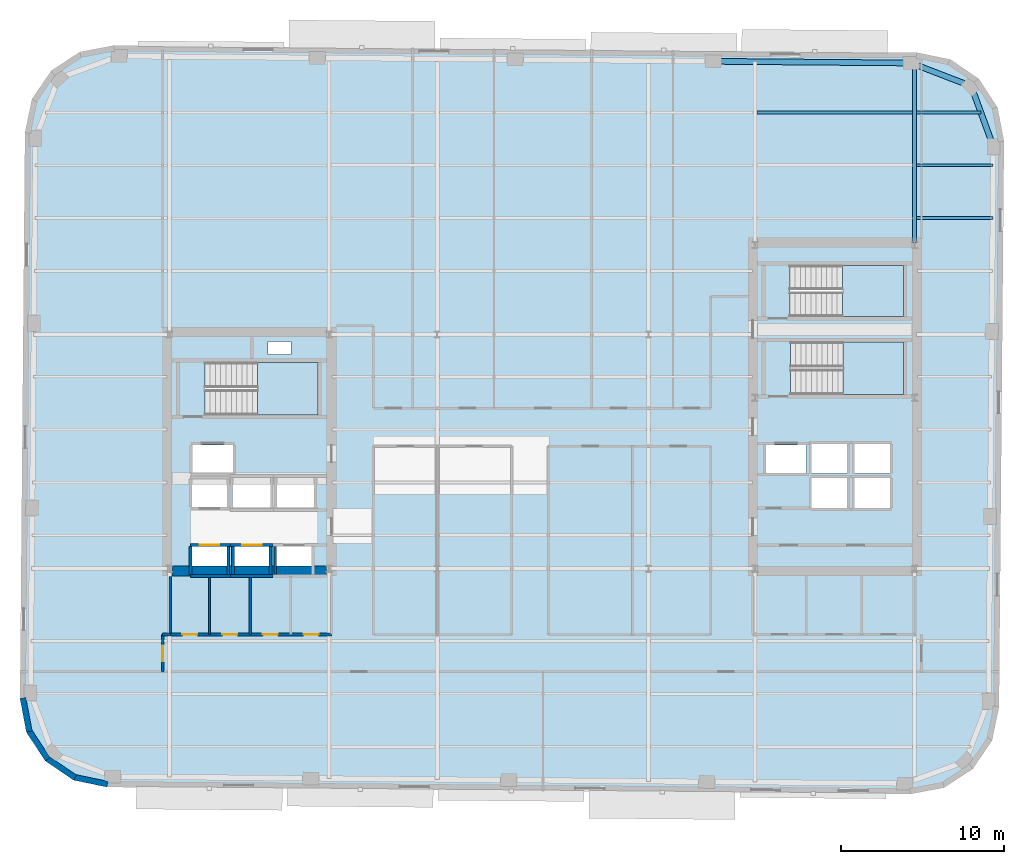
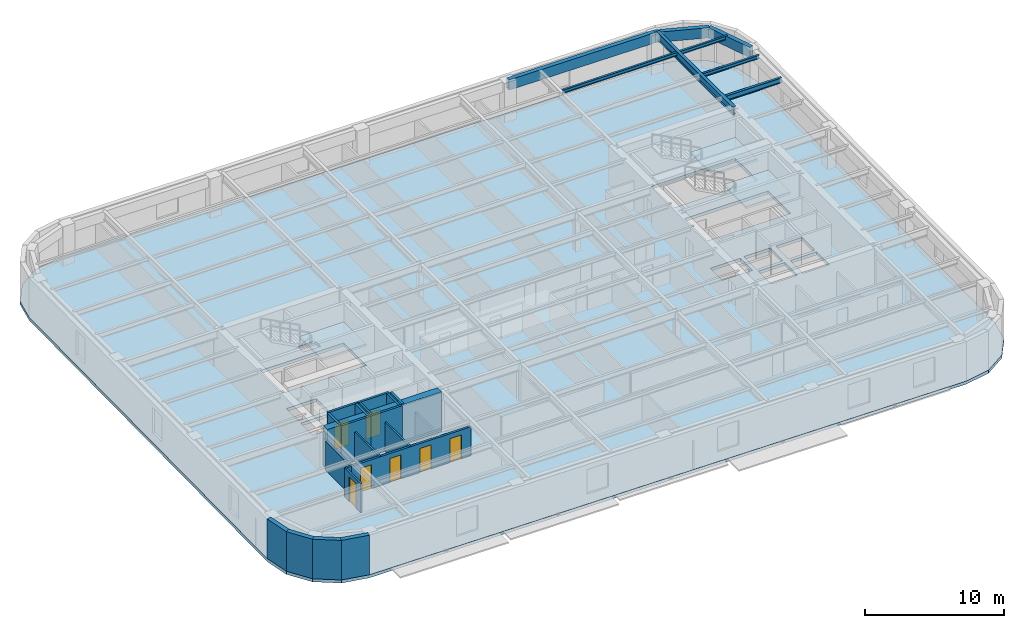
# One storey, part 3 of 11: 20 walls, 8 beams, 7 doors, 4 slabs, 7 openings, 3 elements without a shape of their own.
"""IFC4 building model written with IfcOpenShell, lengths in metres."""

from ifc_helpers import new_model, si_unit, direction, frame, frame_2d, origin, origin_2d, place, context, subcontext, project, spatial, polyline, rectangle, hollow_rectangle, i_section, outline, extrude, material, layer, layer_set, material_profile, profile_set, type_object, element, fill, aggregate, save


model = new_model("IFC4")

# Units and contexts
model_context = context("Model", 3, precision=1e-05, world=origin(), true_north=direction((0.0, 1.0)))
body_context = subcontext(model_context, "Body", "Model", "MODEL_VIEW")
ifc_project = project(units=[si_unit("LENGTHUNIT", "METRE"), si_unit("AREAUNIT", "SQUARE_METRE"), si_unit("VOLUMEUNIT", "CUBIC_METRE"), si_unit("PLANEANGLEUNIT", "RADIAN"), si_unit("MASSUNIT", "GRAM", prefix="KILO")], contexts=[model_context])

# Site, building, storey
site_placement = place(None, origin())
site = spatial("IfcSite", under=ifc_project, at=site_placement, CompositionType="ELEMENT")
building_placement = place(site_placement, origin())
building = spatial("IfcBuilding", under=site, at=building_placement, Name="Kolvaren Arena Tower", CompositionType="ELEMENT")
storey_placement = place(building_placement, frame((0.0, 0.0, 180.949951171875)))
storey = spatial("IfcBuildingStorey", under=building, at=storey_placement, Name="L43", CompositionType="ELEMENT", Elevation=180.949951171875)

# Beams
ifc_material_1 = material(Name="Steel CSA G40.21 350W", Category="steel")
ifc_material_profile_1 = material_profile(ifc_material_1, i_section(OverallWidth=0.193115234375, OverallDepth=0.462890625, WebThickness=0.0107421875, FlangeThickness=0.0205078125, FilletRadius=0.012939453125, at=origin_2d()), Name="W460x113")
ifc_profile_set_1 = profile_set([ifc_material_profile_1], Name="Steel CSA G40.21 350W")
beam_type_1 = type_object("IfcBeamType", Name="BEAM-F2", PredefinedType="BEAM", material=ifc_profile_set_1)
beam_1_placement = place(storey_placement, frame((60.4775390625, 41.0, 3.24853515625), z_axis=(1.0, 0.0, 0.0), x_axis=(0.0, 1.0, 0.0)))
element("IfcBeam", 1, at=beam_1_placement, inside=storey, type_object=beam_type_1, Name="Composite Floor Beam (L43)", PredefinedType="BEAM", context=body_context, shape_type="SweptSolid", body=[
    extrude(i_section(OverallWidth=0.193115234375, OverallDepth=0.462890625, WebThickness=0.0107421875, FlangeThickness=0.0205078125, FilletRadius=0.012939453125, at=origin_2d()), origin(), (0.0, 0.0, 1.0), 4.681884765625),
])
ifc_material_profile_2 = material_profile(ifc_material_1, i_section(OverallWidth=0.2548828125, OverallDepth=0.695068359375, WebThickness=0.01708984375, FlangeThickness=0.02978515625, FilletRadius=0.01611328125, at=origin_2d()), Name="W690x217")
ifc_profile_set_2 = profile_set([ifc_material_profile_2], Name="Steel CSA G40.21 350W")
beam_type_2 = type_object("IfcBeamType", Name="GIRD-T2", PredefinedType="BEAM", material=ifc_profile_set_2)
beam_2_placement = place(storey_placement, frame((60.35009765625, 39.47998046875, 3.132568359375), z_axis=(0.0, 1.0, 0.0), x_axis=(-1.0, 0.0, 0.0)))
element("IfcBeam", 2, at=beam_2_placement, inside=storey, type_object=beam_type_2, Name="Primary Floor Girder (L43)", PredefinedType="BEAM", context=body_context, shape_type="SweptSolid", body=[
    extrude(i_section(OverallWidth=0.2548828125, OverallDepth=0.695068359375, WebThickness=0.01708984375, FlangeThickness=0.02978515625, FilletRadius=0.01611328125, at=origin_2d()), origin(), (0.0, 0.0, 1.0), 10.976806640625),
])
ifc_material_profile_3 = material_profile(ifc_material_1, i_section(OverallWidth=0.1669921875, OverallDepth=0.31689453125, WebThickness=0.007568359375, FlangeThickness=0.01318359375, FilletRadius=0.010009765625, at=origin_2d()), Name="W310x52")
ifc_profile_set_3 = profile_set([ifc_material_profile_3], Name="Steel CSA G40.21 350W")
beam_type_3 = type_object("IfcBeamType", Name="JOIST-02", PredefinedType="JOIST", material=ifc_profile_set_3)
beam_3_placement = place(storey_placement, frame((60.4775390625, 44.25, 3.321533203125), z_axis=(1.0, 0.0, 0.0), x_axis=(0.0, 1.0, 0.0)))
element("IfcBeam", 3, at=beam_3_placement, inside=storey, type_object=beam_type_3, Name="Composite Floor Joist (L43)", PredefinedType="JOIST", context=body_context, shape_type="SweptSolid", body=[
    extrude(i_section(OverallWidth=0.1669921875, OverallDepth=0.31689453125, WebThickness=0.007568359375, FlangeThickness=0.01318359375, FilletRadius=0.010009765625, at=origin_2d()), origin(), (0.0, 0.0, 1.0), 4.710205078125),
])
beam_4_placement = place(storey_placement, frame((50.677490234375, 47.5, 3.321533203125), z_axis=(1.0, 0.0, 0.0), x_axis=(0.0, 1.0, 0.0)))
element("IfcBeam", 4, at=beam_4_placement, inside=storey, type_object=beam_type_3, Name="Composite Floor Joist (L43)", PredefinedType="JOIST", context=body_context, shape_type="SweptSolid", body=[
    extrude(i_section(OverallWidth=0.1669921875, OverallDepth=0.31689453125, WebThickness=0.007568359375, FlangeThickness=0.01318359375, FilletRadius=0.010009765625, at=origin_2d()), origin(), (0.0, 0.0, 1.0), 9.544921875),
])
beam_5_placement = place(storey_placement, frame((60.4775390625, 47.5, 3.321533203125), z_axis=(1.0, 0.0, 0.0), x_axis=(0.0, 1.0, 0.0)))
element("IfcBeam", 5, at=beam_5_placement, inside=storey, type_object=beam_type_3, Name="Composite Floor Joist (L43)", PredefinedType="JOIST", context=body_context, shape_type="SweptSolid", body=[
    extrude(i_section(OverallWidth=0.1669921875, OverallDepth=0.31689453125, WebThickness=0.007568359375, FlangeThickness=0.01318359375, FilletRadius=0.010009765625, at=origin_2d()), origin(), (0.0, 0.0, 1.0), 3.950439453125),
])
ifc_material_2 = material(Name="Steel CSA G40.21 350WT", Category="steel")
ifc_material_profile_4 = material_profile(ifc_material_2, hollow_rectangle(XDim=0.35009765625, YDim=0.89990234375, WallThickness=0.02001953125, at=origin_2d()), Name="HSS 900x350x20")
ifc_profile_set_4 = profile_set([ifc_material_profile_4], Name="Steel CSA G40.21 350WT")
beam_type_4 = type_object("IfcBeamType", Name="SPAND-01", PredefinedType="SPANDREL", material=ifc_profile_set_4)
for number, where, z_axis, x_axis, name in (
    (6, (65.19775390625, 45.392333984375, 3.030029296875), (-0.343059102458, 0.939313819882, 0.0), (-0.939313819882, -0.343059102458, 0.0), "Perimeter Spandrel Beam (L43)"),
    (7, (63.8388671875, 49.113037109375, 3.030029296875), (-0.933189846698, 0.359383792094, 0.0), (-0.359383792094, -0.933189846698, 0.0), "Perimeter Spandrel Beam (L43)"),
):
    element("IfcBeam", number, at=place(storey_placement, frame(where, z_axis=z_axis, x_axis=x_axis)), inside=storey, type_object=beam_type_4, Name=name, PredefinedType="SPANDREL", context=body_context, shape_type="SweptSolid", body=[
        extrude(hollow_rectangle(XDim=0.35009765625, YDim=0.89990234375, WallThickness=0.02001953125, at=origin_2d()), origin(), (0.0, 0.0, 1.0), 3.961181640625),
    ])
beam_6_placement = place(storey_placement, frame((60.142333984375, 50.53662109375, 3.030029296875), z_axis=(-0.99996195503, 0.008722871848, 0.0), x_axis=(-0.008722871848, -0.99996195503, 0.0)))
element("IfcBeam", 8, at=beam_6_placement, inside=storey, type_object=beam_type_4, Name="Perimeter Spandrel Beam (L43)", PredefinedType="SPANDREL", context=body_context, shape_type="SweptSolid", body=[
    extrude(hollow_rectangle(XDim=0.35009765625, YDim=0.89990234375, WallThickness=0.02001953125, at=origin_2d()), origin(), (0.0, 0.0, 1.0), 12.175048828125),
])

# Stair, slab
ifc_material_3 = material(Name="Concrete 45 MPa", Category="concrete")
stair_type_1 = type_object("IfcStairType", Name="STAIR-CORE-165", PredefinedType="HALF_TURN_STAIR", material=ifc_material_3)
stair_1_placement = place(storey_placement, origin())
stair_1 = element("IfcStair", 9, at=stair_1_placement, inside=storey, type_object=stair_type_1, Name="L43 ST-W1", PredefinedType="HALF_TURN_STAIR")
ifc_layer_1 = layer(ifc_material_3, 0.199951171875)
ifc_layer_set_1 = layer_set([ifc_layer_1], Name="Concrete 45 MPa")
slab_type_1 = type_object("IfcSlabType", Name="SLAB-LAND", PredefinedType="LANDING", material=ifc_layer_set_1)
slab_1_placement = place(storey_placement, frame((0.0, 0.0, 1.675048828125)))
slab_1 = element("IfcSlab", 10, at=slab_1_placement, type_object=slab_type_1, Name="ST-W1 landing 1", PredefinedType="LANDING", context=body_context, shape_type="SweptSolid", body=[
    extrude(outline(polyline([(19.9599609375, 28.89990234375), (23.659912109375, 28.89990234375), (23.659912109375, 32.1298828125), (19.9599609375, 32.1298828125), (19.9599609375, 28.89990234375)])), origin(), (0.0, 0.0, 1.0), 0.199951171875),
])
aggregate(stair_1, [slab_1])

stair_2_placement = place(storey_placement, origin())
stair_2 = element("IfcStair", 11, at=stair_2_placement, inside=storey, type_object=stair_type_1, Name="L43 ST-E1", PredefinedType="HALF_TURN_STAIR")
slab_2_placement = place(storey_placement, frame((0.0, 0.0, 1.675048828125)))
slab_2 = element("IfcSlab", 12, at=slab_2_placement, type_object=slab_type_1, Name="ST-E1 landing 1", PredefinedType="LANDING", context=body_context, shape_type="SweptSolid", body=[
    extrude(outline(polyline([(55.9599609375, 30.14990234375), (59.659912109375, 30.14990234375), (59.659912109375, 33.3798828125), (55.9599609375, 33.3798828125), (55.9599609375, 30.14990234375)])), origin(), (0.0, 0.0, 1.0), 0.199951171875),
])
aggregate(stair_2, [slab_2])

stair_type_2 = type_object("IfcStairType", Name="STAIR-CORE-150", PredefinedType="HALF_TURN_STAIR", material=ifc_material_3)
stair_3_placement = place(storey_placement, origin())
stair_3 = element("IfcStair", 13, at=stair_3_placement, inside=storey, type_object=stair_type_2, Name="L43 ST-E2", PredefinedType="HALF_TURN_STAIR")
slab_3_placement = place(storey_placement, frame((0.0, 0.0, 1.675048828125)))
slab_3 = element("IfcSlab", 14, at=slab_3_placement, type_object=slab_type_1, Name="ST-E2 landing 1", PredefinedType="LANDING", context=body_context, shape_type="SweptSolid", body=[
    extrude(outline(polyline([(55.919921875, 34.949951171875), (59.659912109375, 34.949951171875), (59.659912109375, 38.10009765625), (55.919921875, 38.10009765625), (55.919921875, 34.949951171875)])), origin(), (0.0, 0.0, 1.0), 0.199951171875),
])
aggregate(stair_3, [slab_3])

# Slab
ifc_layer_2 = layer(ifc_material_3, 0.27001953125)
ifc_layer_set_2 = layer_set([ifc_layer_2], Name="Concrete 45 MPa")
slab_type_2 = type_object("IfcSlabType", Name="SLAB-OFF2", PredefinedType="FLOOR", material=ifc_layer_set_2)
slab_4_placement = place(storey_placement, frame((0.0, 0.0, -0.27001953125)))
element("IfcSlab", 15, at=slab_4_placement, inside=storey, type_object=slab_type_2, Name="L43 Primary Structural Slab", PredefinedType="FLOOR", context=body_context, shape_type="SweptSolid", body=[
    extrude(outline(polyline([(60.10009765625, 5.585205078125), (62.170166015625, 5.978271484375), (63.93212890625, 7.133544921875), (65.117919921875, 8.875244140625), (65.547119140625, 10.93798828125), (65.8505859375, 45.73681640625), (65.457763671875, 47.806640625), (64.302490234375, 49.568603515625), (62.560791015625, 50.75439453125), (60.498046875, 51.18359375), (11.099853515625, 51.61474609375), (9.02978515625, 51.2216796875), (7.267822265625, 50.06640625), (6.08203125, 48.32470703125), (5.653076171875, 46.261962890625), (5.349365234375, 11.46337890625), (5.7421875, 9.393310546875), (6.8974609375, 7.63134765625), (8.63916015625, 6.445556640625), (10.701904296875, 6.016357421875), (60.10009765625, 5.585205078125)]), holes=[polyline([(15.93505859375, 19.0849609375), (15.93505859375, 20.81494140625), (18.06494140625, 20.81494140625), (18.06494140625, 19.0849609375), (15.93505859375, 19.0849609375)]), polyline([(18.534912109375, 19.0849609375), (18.534912109375, 20.81494140625), (20.6650390625, 20.81494140625), (20.6650390625, 19.0849609375), (18.534912109375, 19.0849609375)]), polyline([(21.135009765625, 19.0849609375), (21.135009765625, 20.81494140625), (23.264892578125, 20.81494140625), (23.264892578125, 19.0849609375), (21.135009765625, 19.0849609375)]), polyline([(18.4599609375, 23.135009765625), (18.4599609375, 25.06494140625), (20.739990234375, 25.06494140625), (20.739990234375, 23.135009765625), (18.4599609375, 23.135009765625)]), polyline([(21.159912109375, 23.135009765625), (21.159912109375, 25.06494140625), (23.43994140625, 25.06494140625), (23.43994140625, 23.135009765625), (21.159912109375, 23.135009765625)]), polyline([(54.030029296875, 23.18505859375), (54.030029296875, 25.014892578125), (56.2099609375, 25.014892578125), (56.2099609375, 23.18505859375), (54.030029296875, 23.18505859375)]), polyline([(56.669921875, 23.18505859375), (56.669921875, 25.014892578125), (58.85009765625, 25.014892578125), (58.85009765625, 23.18505859375), (56.669921875, 23.18505859375)]), polyline([(15.93505859375, 23.235107421875), (15.93505859375, 24.965087890625), (18.06494140625, 24.965087890625), (18.06494140625, 23.235107421875), (15.93505859375, 23.235107421875)]), polyline([(54.030029296875, 25.284912109375), (54.030029296875, 27.114990234375), (56.2099609375, 27.114990234375), (56.2099609375, 25.284912109375), (54.030029296875, 25.284912109375)]), polyline([(56.669921875, 25.284912109375), (56.669921875, 27.114990234375), (58.85009765625, 27.114990234375), (58.85009765625, 25.284912109375), (56.669921875, 25.284912109375)]), polyline([(15.9599609375, 25.3349609375), (15.9599609375, 27.06494140625), (18.43994140625, 27.06494140625), (18.43994140625, 25.3349609375), (15.9599609375, 25.3349609375)]), polyline([(51.219970703125, 25.3349609375), (51.219970703125, 27.06494140625), (53.699951171875, 27.06494140625), (53.699951171875, 25.3349609375), (51.219970703125, 25.3349609375)]), polyline([(16.735107421875, 28.89990234375), (16.735107421875, 32.1298828125), (23.659912109375, 32.1298828125), (23.659912109375, 28.89990234375), (16.735107421875, 28.89990234375)]), polyline([(52.735107421875, 30.14990234375), (52.735107421875, 33.3798828125), (59.659912109375, 33.3798828125), (59.659912109375, 30.14990234375), (52.735107421875, 30.14990234375)]), polyline([(20.60009765625, 32.6201171875), (20.60009765625, 33.39990234375), (22.0, 33.39990234375), (22.0, 32.6201171875), (20.60009765625, 32.6201171875)]), polyline([(52.695068359375, 34.949951171875), (52.695068359375, 38.10009765625), (59.659912109375, 38.10009765625), (59.659912109375, 34.949951171875), (52.695068359375, 34.949951171875)])]), origin(), (0.0, 0.0, 1.0), 0.27001953125),
])

# Wall, opening, door
ifc_material_4 = material(Name="Gypsum board acoustic assembly", Category="gypsum")
ifc_layer_3 = layer(ifc_material_4, 0.159912109375)
ifc_layer_set_3 = layer_set([ifc_layer_3], Name="Gypsum board acoustic assembly")
wall_type_1 = type_object("IfcWallType", Name="CORR-160", PredefinedType="PARTITIONING", material=ifc_layer_set_3)
wall_1_placement = place(storey_placement, frame((14.1201171875, 13.10009765625, 0.0), z_axis=(0.0, 0.0, 1.0), x_axis=(0.0, 1.0, 0.0)))
wall_1 = element("IfcWall", 16, at=wall_1_placement, inside=storey, type_object=wall_type_1, Name="Interior Partition Wall (L43)", PredefinedType="PARTITIONING", context=body_context, shape_type="SweptSolid", body=[
    extrude(rectangle(XDim=2.2998046875, YDim=0.159912109375, at=frame_2d((1.14990234375, 0.0))), origin(), (0.0, 0.0, 1.0), 2.5400390625),
])
opening_1_placement = place(wall_1_placement, frame((0.64990234375, 0.0, 0.0)))
opening_1 = element("IfcOpeningElement", 17, at=opening_1_placement, cuts=wall_1, Name="Opening D05", PredefinedType="OPENING", context=body_context, shape_type="SweptSolid", body=[
    extrude(rectangle(XDim=0.949951171875, YDim=2.14990234375, at=frame_2d((0.47509765625, 1.074951171875))), frame((0.0, 0.08984375, 0.0), z_axis=(0.0, -1.0, 0.0), x_axis=(1.0, 0.0, 0.0)), (0.0, 0.0, 1.0), 0.179931640625),
])
ifc_material_5 = material(Name="Solid-core oak acoustic office door", Category="wood")
door_type_1 = type_object("IfcDoorType", Name="DOOR-OF-095", OperationType="NOTDEFINED", PredefinedType="DOOR", material=ifc_material_5)
door_1_placement = place(opening_1_placement, origin())
door_1 = element("IfcDoor", 18, at=door_1_placement, inside=storey, type_object=door_type_1, Name="West Wing Office Door (L43)", OperationType="SINGLE_SWING_LEFT", OverallHeight=2.14990234375, OverallWidth=0.949951171875, PredefinedType="DOOR", context=body_context, shape_type="SweptSolid", body=[
    extrude(rectangle(XDim=0.949951171875, YDim=2.14990234375, at=frame_2d((0.47509765625, 1.074951171875))), frame((0.0, 0.02490234375, 0.0), z_axis=(0.0, -1.0, 0.0), x_axis=(1.0, 0.0, 0.0)), (0.0, 0.0, 1.0), 0.050048828125),
])
fill(opening_1, door_1)

# Walls
wall_2_placement = place(storey_placement, frame((14.1201171875, 15.39990234375, 0.0), z_axis=(0.0, 0.0, 1.0), x_axis=(1.0, 0.0, 0.0)))
element("IfcWall", 19, at=wall_2_placement, inside=storey, type_object=wall_type_1, Name="Interior Partition Wall (L43)", PredefinedType="PARTITIONING", context=body_context, shape_type="SweptSolid", body=[
    extrude(rectangle(XDim=0.5, YDim=0.159912109375, at=frame_2d((0.25, 0.0))), origin(), (0.0, 0.0, 1.0), 2.5400390625),
])
ifc_material_6 = material(Name="Concrete 60 MPa", Category="concrete")
ifc_layer_4 = layer(ifc_material_6, 0.60009765625)
ifc_layer_set_4 = layer_set([ifc_layer_4], Name="Concrete 60 MPa")
wall_type_2 = type_object("IfcWallType", Name="CWALL-600", PredefinedType="SHEAR", material=ifc_layer_set_4)
wall_3_placement = place(storey_placement, frame((14.699951171875, 19.300048828125, -0.27001953125), z_axis=(0.0, 0.0, 1.0), x_axis=(1.0, 0.0, 0.0)))
element("IfcWall", 20, at=wall_3_placement, inside=storey, type_object=wall_type_2, Name="Core Shear Wall WC-SOUTH (L43)", PredefinedType="SHEAR", context=body_context, shape_type="SweptSolid", body=[
    extrude(rectangle(XDim=9.5, YDim=0.60009765625, at=frame_2d((4.75, 0.0))), origin(), (0.0, 0.0, 1.0), 3.75),
])
ifc_material_7 = material(Name="Precast concrete C50/60", Category="concrete")
ifc_layer_5 = layer(ifc_material_7, 0.360107421875)
ifc_layer_set_5 = layer_set([ifc_layer_5], Name="Precast concrete C50/60")
wall_type_3 = type_object("IfcWallType", Name="EXT-PIER2", PredefinedType="SOLIDWALL", material=ifc_layer_set_5)
for number, where, z_axis, x_axis, name in (
    (21, (5.919189453125, 9.427001953125, 0.0), (0.0, 0.0, 1.0), (-0.186568933123, 0.982441872679, 0.0), "Exterior Precast Masonry-Frame Wall (L43)"),
    (22, (7.048095703125, 7.72998046875, 0.0), (0.0, 0.0, 1.0), (-0.548319766745, 0.836268756678, 0.0), "Exterior Precast Masonry-Frame Wall (L43)"),
    (23, (8.740478515625, 6.59423828125, 0.0), (0.0, 0.0, 1.0), (-0.826609569219, 0.56277581689, 0.0), "Exterior Precast Masonry-Frame Wall (L43)"),
):
    element("IfcWall", number, at=place(storey_placement, frame(where, z_axis=z_axis, x_axis=x_axis)), inside=storey, type_object=wall_type_3, Name=name, PredefinedType="SOLIDWALL", context=body_context, shape_type="SweptSolid", body=[
        extrude(rectangle(XDim=2.10693359375, YDim=0.360107421875, at=frame_2d((1.053466796875, 0.0))), origin(), (0.0, 0.0, 1.0), 3.47998046875),
    ])
wall_4_placement = place(storey_placement, frame((10.73876953125, 6.192626953125, 0.0), z_axis=(0.0, 0.0, 1.0), x_axis=(-0.979059388908, 0.203574833883, 0.0)))
element("IfcWall", 24, at=wall_4_placement, inside=storey, type_object=wall_type_3, Name="Exterior Precast Masonry-Frame Wall (L43)", PredefinedType="SOLIDWALL", context=body_context, shape_type="SweptSolid", body=[
    extrude(rectangle(XDim=2.107177734375, YDim=0.360107421875, at=frame_2d((1.0537109375, 0.0))), origin(), (0.0, 0.0, 1.0), 3.47998046875),
])

# Wall, opening, door
ifc_layer_6 = layer(ifc_material_3, 0.25)
ifc_layer_set_6 = layer_set([ifc_layer_6], Name="Concrete 45 MPa")
wall_type_4 = type_object("IfcWallType", Name="SHAFT-250", PredefinedType="SOLIDWALL", material=ifc_layer_set_6)
wall_5_placement = place(storey_placement, frame((15.844970703125, 20.905029296875, 0.0), z_axis=(0.0, 0.0, 1.0), x_axis=(1.0, 0.0, 0.0)))
wall_5 = element("IfcWall", 25, at=wall_5_placement, inside=storey, type_object=wall_type_4, Name="Core Shaft Wall (L43)", PredefinedType="SOLIDWALL", context=body_context, shape_type="SweptSolid", body=[
    extrude(rectangle(XDim=2.455078125, YDim=0.179931640625, at=frame_2d((1.2275390625, 0.0))), origin(), (0.0, 0.0, 1.0), 3.47998046875),
])
opening_2_placement = place(wall_5_placement, frame((0.554931640625, 0.0, 0.0)))
opening_2 = element("IfcOpeningElement", 26, at=opening_2_placement, cuts=wall_5, Name="Opening LD1", PredefinedType="OPENING", context=body_context, shape_type="SweptSolid", body=[
    extrude(rectangle(XDim=1.199951171875, YDim=2.199951171875, at=frame_2d((0.60009765625, 1.10009765625))), frame((0.0, 0.099853515625, 0.0), z_axis=(0.0, -1.0, 0.0), x_axis=(1.0, 0.0, 0.0)), (0.0, 0.0, 1.0), 0.199951171875),
])
ifc_material_8 = material(Name="Stainless steel passenger lift landing door", Category="steel")
door_type_2 = type_object("IfcDoorType", Name="DOOR-LD-120", OperationType="DOUBLE_DOOR_SLIDING", PredefinedType="DOOR", material=ifc_material_8)
door_2_placement = place(opening_2_placement, origin())
door_2 = element("IfcDoor", 27, at=door_2_placement, inside=storey, type_object=door_type_2, Name="Lift EL-MR1 Landing Door (L43)", OperationType="DOUBLE_DOOR_SLIDING", OverallHeight=2.199951171875, OverallWidth=1.199951171875, PredefinedType="DOOR", context=body_context, shape_type="SweptSolid", body=[
    extrude(rectangle(XDim=1.199951171875, YDim=2.199951171875, at=frame_2d((0.60009765625, 1.10009765625))), frame((0.0, 0.02490234375, 0.0), z_axis=(0.0, -1.0, 0.0), x_axis=(1.0, 0.0, 0.0)), (0.0, 0.0, 1.0), 0.050048828125),
])
fill(opening_2, door_2)

# Walls
wall_6_placement = place(storey_placement, frame((15.844970703125, 18.9951171875, 0.0), z_axis=(0.0, 0.0, 1.0), x_axis=(1.0, 0.0, 0.0)))
element("IfcWall", 28, at=wall_6_placement, inside=storey, type_object=wall_type_4, Name="Core Shaft Wall (L43)", PredefinedType="SOLIDWALL", context=body_context, shape_type="SweptSolid", body=[
    extrude(rectangle(XDim=2.455078125, YDim=0.179931640625, at=frame_2d((1.2275390625, 0.0))), origin(), (0.0, 0.0, 1.0), 3.47998046875),
])
for number, where, z_axis, x_axis, name in (
    (29, (15.844970703125, 19.0849609375, 0.0), (0.0, 0.0, 1.0), (0.0, 1.0, 0.0), "Core Shaft Wall (L43)"),
    (30, (18.155029296875, 19.0849609375, 0.0), (0.0, 0.0, 1.0), (0.0, 1.0, 0.0), "Core Shaft Wall (L43)"),
):
    element("IfcWall", number, at=place(storey_placement, frame(where, z_axis=z_axis, x_axis=x_axis)), inside=storey, type_object=wall_type_4, Name=name, PredefinedType="SOLIDWALL", context=body_context, shape_type="SweptSolid", body=[
        extrude(rectangle(XDim=1.72998046875, YDim=0.179931640625, at=frame_2d((0.864990234375, 0.0))), origin(), (0.0, 0.0, 1.0), 3.47998046875),
    ])

# Wall, opening, door
wall_7_placement = place(storey_placement, frame((18.300048828125, 20.905029296875, 0.0), z_axis=(0.0, 0.0, 1.0), x_axis=(1.0, 0.0, 0.0)))
wall_7 = element("IfcWall", 31, at=wall_7_placement, inside=storey, type_object=wall_type_4, Name="Core Shaft Wall (L43)", PredefinedType="SOLIDWALL", context=body_context, shape_type="SweptSolid", body=[
    extrude(rectangle(XDim=2.599853515625, YDim=0.179931640625, at=frame_2d((1.2998046875, 0.0))), origin(), (0.0, 0.0, 1.0), 3.47998046875),
])
opening_3_placement = place(wall_7_placement, frame((0.699951171875, 0.0, 0.0)))
opening_3 = element("IfcOpeningElement", 32, at=opening_3_placement, cuts=wall_7, Name="Opening LD1", PredefinedType="OPENING", context=body_context, shape_type="SweptSolid", body=[
    extrude(rectangle(XDim=1.199951171875, YDim=2.199951171875, at=frame_2d((0.60009765625, 1.10009765625))), frame((0.0, 0.099853515625, 0.0), z_axis=(0.0, -1.0, 0.0), x_axis=(1.0, 0.0, 0.0)), (0.0, 0.0, 1.0), 0.199951171875),
])
door_3_placement = place(opening_3_placement, origin())
door_3 = element("IfcDoor", 33, at=door_3_placement, inside=storey, type_object=door_type_2, Name="Lift EL-MR2 Landing Door (L43)", OperationType="DOUBLE_DOOR_SLIDING", OverallHeight=2.199951171875, OverallWidth=1.199951171875, PredefinedType="DOOR", context=body_context, shape_type="SweptSolid", body=[
    extrude(rectangle(XDim=1.199951171875, YDim=2.199951171875, at=frame_2d((0.60009765625, 1.10009765625))), frame((0.0, 0.02490234375, 0.0), z_axis=(0.0, -1.0, 0.0), x_axis=(1.0, 0.0, 0.0)), (0.0, 0.0, 1.0), 0.050048828125),
])
fill(opening_3, door_3)

# Walls
wall_8_placement = place(storey_placement, frame((18.300048828125, 18.9951171875, 0.0), z_axis=(0.0, 0.0, 1.0), x_axis=(1.0, 0.0, 0.0)))
element("IfcWall", 34, at=wall_8_placement, inside=storey, type_object=wall_type_4, Name="Core Shaft Wall (L43)", PredefinedType="SOLIDWALL", context=body_context, shape_type="SweptSolid", body=[
    extrude(rectangle(XDim=2.599853515625, YDim=0.179931640625, at=frame_2d((1.2998046875, 0.0))), origin(), (0.0, 0.0, 1.0), 3.47998046875),
])
for number, where, z_axis, x_axis, name in (
    (35, (18.445068359375, 19.0849609375, 0.0), (0.0, 0.0, 1.0), (0.0, 1.0, 0.0), "Core Shaft Wall (L43)"),
    (36, (20.7548828125, 19.0849609375, 0.0), (0.0, 0.0, 1.0), (0.0, 1.0, 0.0), "Core Shaft Wall (L43)"),
    (37, (21.044921875, 19.0849609375, 0.0), (0.0, 0.0, 1.0), (0.0, 1.0, 0.0), "Core Shaft Wall (L43)"),
):
    element("IfcWall", number, at=place(storey_placement, frame(where, z_axis=z_axis, x_axis=x_axis)), inside=storey, type_object=wall_type_4, Name=name, PredefinedType="SOLIDWALL", context=body_context, shape_type="SweptSolid", body=[
        extrude(rectangle(XDim=1.72998046875, YDim=0.179931640625, at=frame_2d((0.864990234375, 0.0))), origin(), (0.0, 0.0, 1.0), 3.47998046875),
    ])
ifc_material_9 = material(Name="Moisture-resistant gypsum assembly", Category="gypsum")
ifc_layer_7 = layer(ifc_material_9, 0.14990234375)
ifc_layer_set_7 = layer_set([ifc_layer_7], Name="Moisture-resistant gypsum assembly")
wall_type_5 = type_object("IfcWallType", Name="WETW-150", PredefinedType="PARTITIONING", material=ifc_layer_set_7)
for number, where, z_axis, x_axis, name in (
    (38, (17.0, 15.39990234375, 0.0), (0.0, 0.0, 1.0), (0.0, 1.0, 0.0), "Interior Partition Wall (L43)"),
    (39, (19.5, 15.39990234375, 0.0), (0.0, 0.0, 1.0), (0.0, 1.0, 0.0), "Interior Partition Wall (L43)"),
):
    element("IfcWall", number, at=place(storey_placement, frame(where, z_axis=z_axis, x_axis=x_axis)), inside=storey, type_object=wall_type_5, Name=name, PredefinedType="PARTITIONING", context=body_context, shape_type="SweptSolid", body=[
        extrude(rectangle(XDim=3.580078125, YDim=0.14990234375, at=frame_2d((1.7900390625, 0.0))), origin(), (0.0, 0.0, 1.0), 2.5400390625),
    ])

# Wall, openings, doors
wall_9_placement = place(storey_placement, frame((14.60009765625, 15.39990234375, 0.0), z_axis=(0.0, 0.0, 1.0), x_axis=(1.0, 0.0, 0.0)))
wall_9 = element("IfcWall", 40, at=wall_9_placement, inside=storey, type_object=wall_type_5, Name="Interior Partition Wall (L43)", PredefinedType="PARTITIONING", context=body_context, shape_type="SweptSolid", body=[
    extrude(rectangle(XDim=9.89990234375, YDim=0.179931640625, at=frame_2d((4.949951171875, 0.0))), origin(), (0.0, 0.0, 1.0), 2.5400390625),
])
opening_4_placement = place(wall_9_placement, frame((0.739990234375, 0.0, 0.0)))
opening_4 = element("IfcOpeningElement", 41, at=opening_4_placement, cuts=wall_9, Name="Opening D07", PredefinedType="OPENING", context=body_context, shape_type="SweptSolid", body=[
    extrude(rectangle(XDim=0.919921875, YDim=2.10009765625, at=frame_2d((0.4599609375, 1.050048828125))), frame((0.0, 0.099853515625, 0.0), z_axis=(0.0, -1.0, 0.0), x_axis=(1.0, 0.0, 0.0)), (0.0, 0.0, 1.0), 0.199951171875),
])
opening_5_placement = place(wall_9_placement, frame((3.18994140625, 0.0, 0.0)))
opening_5 = element("IfcOpeningElement", 42, at=opening_5_placement, cuts=wall_9, Name="Opening D07", PredefinedType="OPENING", context=body_context, shape_type="SweptSolid", body=[
    extrude(rectangle(XDim=0.919921875, YDim=2.10009765625, at=frame_2d((0.4599609375, 1.050048828125))), frame((0.0, 0.099853515625, 0.0), z_axis=(0.0, -1.0, 0.0), x_axis=(1.0, 0.0, 0.0)), (0.0, 0.0, 1.0), 0.199951171875),
])
opening_6_placement = place(wall_9_placement, frame((5.68994140625, 0.0, 0.0)))
opening_6 = element("IfcOpeningElement", 43, at=opening_6_placement, cuts=wall_9, Name="Opening D07", PredefinedType="OPENING", context=body_context, shape_type="SweptSolid", body=[
    extrude(rectangle(XDim=0.919921875, YDim=2.10009765625, at=frame_2d((0.4599609375, 1.050048828125))), frame((0.0, 0.099853515625, 0.0), z_axis=(0.0, -1.0, 0.0), x_axis=(1.0, 0.0, 0.0)), (0.0, 0.0, 1.0), 0.199951171875),
])
opening_7_placement = place(wall_9_placement, frame((8.18994140625, 0.0, 0.0)))
opening_7 = element("IfcOpeningElement", 44, at=opening_7_placement, cuts=wall_9, Name="Opening D07", PredefinedType="OPENING", context=body_context, shape_type="SweptSolid", body=[
    extrude(rectangle(XDim=0.919921875, YDim=2.10009765625, at=frame_2d((0.4599609375, 1.050048828125))), frame((0.0, 0.099853515625, 0.0), z_axis=(0.0, -1.0, 0.0), x_axis=(1.0, 0.0, 0.0)), (0.0, 0.0, 1.0), 0.199951171875),
])
ifc_material_10 = material(Name="Laminate universal washroom door", Category="wood")
door_type_3 = type_object("IfcDoorType", Name="DOOR-WC-092", OperationType="NOTDEFINED", PredefinedType="DOOR", material=ifc_material_10)
door_4_placement = place(opening_4_placement, origin())
door_4 = element("IfcDoor", 45, at=door_4_placement, inside=storey, type_object=door_type_3, Name="Cleaner and Janitor Store Door (L43)", OperationType="SINGLE_SWING_LEFT", OverallHeight=2.10009765625, OverallWidth=0.919921875, PredefinedType="DOOR", context=body_context, shape_type="SweptSolid", body=[
    extrude(rectangle(XDim=0.919921875, YDim=2.10009765625, at=frame_2d((0.4599609375, 1.050048828125))), frame((0.0, 0.02490234375, 0.0), z_axis=(0.0, -1.0, 0.0), x_axis=(1.0, 0.0, 0.0)), (0.0, 0.0, 1.0), 0.050048828125),
])
fill(opening_4, door_4)
door_5_placement = place(opening_5_placement, origin())
door_5 = element("IfcDoor", 46, at=door_5_placement, inside=storey, type_object=door_type_3, Name="Universal Barrier-Free Washroom Door (L43)", OperationType="SINGLE_SWING_RIGHT", OverallHeight=2.10009765625, OverallWidth=0.919921875, PredefinedType="DOOR", context=body_context, shape_type="SweptSolid", body=[
    extrude(rectangle(XDim=0.919921875, YDim=2.10009765625, at=frame_2d((0.4599609375, 1.050048828125))), frame((0.0, 0.02490234375, 0.0), z_axis=(0.0, -1.0, 0.0), x_axis=(1.0, 0.0, 0.0)), (0.0, 0.0, 1.0), 0.050048828125),
])
fill(opening_5, door_5)
door_6_placement = place(opening_6_placement, origin())
door_6 = element("IfcDoor", 47, at=door_6_placement, inside=storey, type_object=door_type_3, Name="Women Restroom Door (L43)", OperationType="SINGLE_SWING_LEFT", OverallHeight=2.10009765625, OverallWidth=0.919921875, PredefinedType="DOOR", context=body_context, shape_type="SweptSolid", body=[
    extrude(rectangle(XDim=0.919921875, YDim=2.10009765625, at=frame_2d((0.4599609375, 1.050048828125))), frame((0.0, 0.02490234375, 0.0), z_axis=(0.0, -1.0, 0.0), x_axis=(1.0, 0.0, 0.0)), (0.0, 0.0, 1.0), 0.050048828125),
])
fill(opening_6, door_6)
door_7_placement = place(opening_7_placement, origin())
door_7 = element("IfcDoor", 48, at=door_7_placement, inside=storey, type_object=door_type_3, Name="Men Restroom Door (L43)", OperationType="SINGLE_SWING_RIGHT", OverallHeight=2.10009765625, OverallWidth=0.919921875, PredefinedType="DOOR", context=body_context, shape_type="SweptSolid", body=[
    extrude(rectangle(XDim=0.919921875, YDim=2.10009765625, at=frame_2d((0.4599609375, 1.050048828125))), frame((0.0, 0.02490234375, 0.0), z_axis=(0.0, -1.0, 0.0), x_axis=(1.0, 0.0, 0.0)), (0.0, 0.0, 1.0), 0.050048828125),
])
fill(opening_7, door_7)

# Wall
wall_10_placement = place(storey_placement, frame((14.60009765625, 15.39990234375, 0.0), z_axis=(0.0, 0.0, 1.0), x_axis=(0.0, 1.0, 0.0)))
element("IfcWall", 49, at=wall_10_placement, inside=storey, type_object=wall_type_5, Name="Interior Partition Wall (L43)", PredefinedType="PARTITIONING", context=body_context, shape_type="SweptSolid", body=[
    extrude(rectangle(XDim=3.580078125, YDim=0.14990234375, at=frame_2d((1.7900390625, 0.0))), origin(), (0.0, 0.0, 1.0), 2.5400390625),
])

save(model, "model.ifc")
